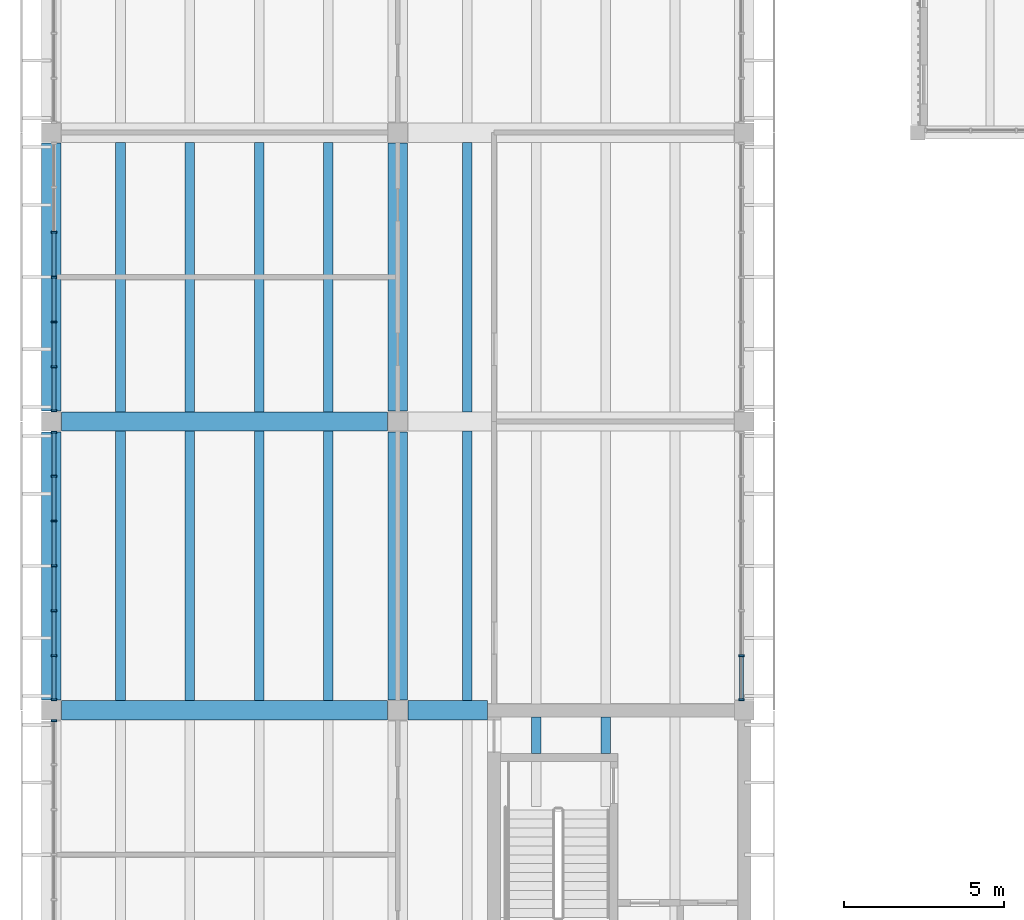
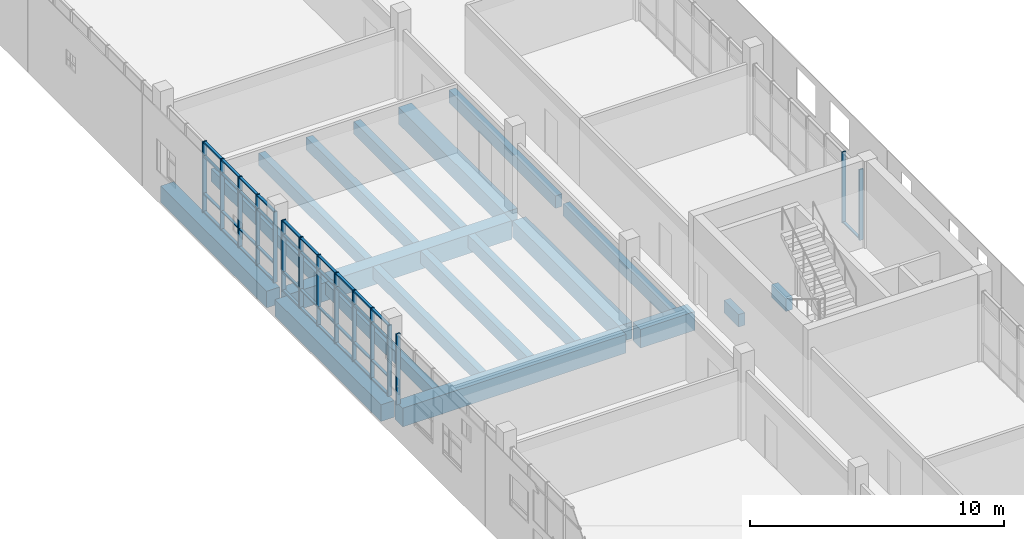
# One storey, part 20 of 88: 56 members, 19 beams, 4 elements without a shape of their own.
"""IFC4 building model written with IfcOpenShell, lengths in metres."""

import ifcopenshell
import ifcopenshell.guid

model = None  # the IFC model being written
_history = None  # IfcOwnerHistory: only IFC2X3 demands one
_inside = {}  # id of a spatial element -> (the spatial element, [elements in it])
_under = {}  # id of a project, library or spatial element -> (it, [spatial elements below it])
_declared = {}  # id of a project -> (the project, [libraries it declares])
_typed = {}  # id of a type object -> (the type object, [elements of that type])
_made_of = {}  # id of a material, layer set ... -> (it, [elements and type objects made of it])


def new_model(schema):
    """Start an empty IFC model of exactly this schema.

    Asked for "IFC4X3", IfcOpenShell would pick the latest addendum, in which some entities
    have other attributes; the version numbers below select the first issue.
    IFC2X3 requires an IfcOwnerHistory on every rooted entity: one is made here for all.
    """
    global model, _history
    if schema == "IFC4X3":
        model = ifcopenshell.file(schema_version=(4, 3, 0, 0))
    else:
        model = ifcopenshell.file(schema=schema)
    _inside.clear()
    _under.clear()
    _declared.clear()
    _typed.clear()
    _made_of.clear()
    _history = None
    if model.schema == "IFC2X3":
        org = make("IfcOrganization", Name="unknown")
        user = make(
            "IfcPersonAndOrganization",
            ThePerson=make("IfcPerson", FamilyName="unknown"),
            TheOrganization=org,
        )
        app = make(
            "IfcApplication",
            ApplicationDeveloper=org,
            Version="unknown",
            ApplicationFullName="unknown",
            ApplicationIdentifier="unknown",
        )
        _history = make(
            "IfcOwnerHistory",
            OwningUser=user,
            OwningApplication=app,
            ChangeAction="ADDED",
            CreationDate=0,
        )
    return model


def make(cls, **values):
    """One entity of the class cls with the attributes given. An attribute that is None is left unset."""
    return model.create_entity(
        cls, **{name: value for name, value in values.items() if value is not None}
    )


def rooted(cls, **values):
    """An entity with a GlobalId (a new one), such as an element, a storey or a relation."""
    return make(cls, GlobalId=ifcopenshell.guid.new(), OwnerHistory=_history, **values)


def si_unit(unit_type, name, prefix=None):
    """IfcSIUnit, for example si_unit("LENGTHUNIT", "METRE", prefix="MILLI")."""
    return make("IfcSIUnit", UnitType=unit_type, Prefix=prefix, Name=name)


def assignment(units):
    """IfcUnitAssignment: the units of a project."""
    return None if units is None else make("IfcUnitAssignment", Units=units)


def point(xyz):
    """IfcCartesianPoint."""
    return None if xyz is None else make("IfcCartesianPoint", Coordinates=xyz)


def direction(xyz):
    """IfcDirection."""
    return None if xyz is None else make("IfcDirection", DirectionRatios=xyz)


def frame(location, z_axis=None, x_axis=None):
    """IfcAxis2Placement3D, a coordinate frame: its origin and axes. An axis left out is left unset."""
    return make(
        "IfcAxis2Placement3D",
        Location=point(location),
        Axis=direction(z_axis),
        RefDirection=direction(x_axis),
    )


def frame_2d(location, x_axis=None):
    """IfcAxis2Placement2D, a coordinate frame in the plane: its origin and x axis."""
    return make(
        "IfcAxis2Placement2D", Location=point(location), RefDirection=direction(x_axis)
    )


def origin():
    """The frame at (0, 0, 0) with its axes left unset."""
    return frame((0.0, 0.0, 0.0))


def origin_2d():
    """The frame at (0, 0) in the plane with its x axis left unset."""
    return frame_2d((0.0, 0.0))


def place(relative_to, where):
    """IfcLocalPlacement: puts the frame where relative to a parent placement (None: the world)."""
    return make(
        "IfcLocalPlacement", PlacementRelTo=relative_to, RelativePlacement=where
    )


def context(
    kind, dimensions, precision=None, world=None, true_north=None, identifier=None
):
    """IfcGeometricRepresentationContext, for example the 3D "Model" context."""
    return make(
        "IfcGeometricRepresentationContext",
        ContextIdentifier=identifier,
        ContextType=kind,
        CoordinateSpaceDimension=dimensions,
        Precision=precision,
        WorldCoordinateSystem=world,
        TrueNorth=true_north,
    )


def subcontext(parent, identifier, kind, view, scale=None):
    """IfcGeometricRepresentationSubContext, for example "Body" below "Model"."""
    return make(
        "IfcGeometricRepresentationSubContext",
        ContextIdentifier=identifier,
        ContextType=kind,
        ParentContext=parent,
        TargetScale=scale,
        TargetView=view,
    )


def project(units=None, contexts=None):
    """IfcProject with its units and contexts."""
    return rooted(
        "IfcProject",
        Name="project",
        RepresentationContexts=contexts,
        UnitsInContext=assignment(units),
    )


def spatial(cls, under=None, at=None, **own):
    """A site, building, storey or space (cls), placed at a placement, below another one or the project."""
    s = rooted(cls, ObjectPlacement=at, **own)
    if under is not None:
        _under.setdefault(under.id(), (under, []))[1].append(s)
    return s


def profile(cls, at=None, kind="AREA", **sizes):
    """A parametric profile (cls). Its sizes go by their IFC names, for example OverallWidth=200.0."""
    return make(cls, ProfileType=kind, Position=at, **sizes)


def rectangle(**sizes):
    """IfcRectangleProfileDef."""
    return profile("IfcRectangleProfileDef", **sizes)


def extrude(swept, where, along, depth):
    """IfcExtrudedAreaSolid: the profile swept, set in the frame where, extruded along a direction by depth."""
    return make(
        "IfcExtrudedAreaSolid",
        SweptArea=swept,
        Position=where,
        ExtrudedDirection=direction(along),
        Depth=depth,
    )


def shape(context_of_items, identifier, shape_type, items):
    """IfcShapeRepresentation: the items that make up one representation, for example the "Body"."""
    return make(
        "IfcShapeRepresentation",
        ContextOfItems=context_of_items,
        RepresentationIdentifier=identifier,
        RepresentationType=shape_type,
        Items=items,
    )


def material(Name=None, Category=None):
    """IfcMaterial."""
    return make("IfcMaterial", Name=Name, Category=Category)


def material_profile(
    of_material, cross_section, Name=None, Category=None, Priority=None
):
    """IfcMaterialProfile: a cross section and its material."""
    return make(
        "IfcMaterialProfile",
        Name=Name,
        Material=of_material,
        Profile=cross_section,
        Priority=Priority,
        Category=Category,
    )


def profile_set(profiles, Name=None, composite=None):
    """IfcMaterialProfileSet."""
    return make(
        "IfcMaterialProfileSet",
        Name=Name,
        MaterialProfiles=profiles,
        CompositeProfile=composite,
    )


def made_of(thing, what):
    """Note that an element or type object is made of a material, layer set ...; save() writes the relation."""
    if what is not None:
        _made_of.setdefault(what.id(), (what, []))[1].append(thing)
    return thing


def type_object(cls, material=None, **own):
    """A type object (cls), such as IfcWallType, which elements share."""
    return made_of(rooted(cls, **own), material)


def element(
    cls,
    number,
    at=None,
    inside=None,
    cuts=None,
    type_object=None,
    material=None,
    context=None,
    identifier="Body",
    shape_type=None,
    held_by="IfcProductDefinitionShape",
    body=None,
    shapes=None,
    **own,
):
    """One element of the class cls, such as IfcWall. Its Tag is "e" and its number.

    at: its placement. inside: the storey or other place that contains it. cuts: it is an
    opening in that element (IfcRelVoidsElement). A single representation is given by context,
    identifier, shape_type and body (its items); several are given by shapes. held_by: the class
    of the entity that holds the representations. save() writes the other relations.
    """
    e = rooted(cls, Tag="e%d" % number, ObjectPlacement=at, **own)
    if body is not None:
        shapes = [shape(context, identifier, shape_type, body)]
    if shapes is not None:
        e.Representation = make(held_by, Representations=shapes)
    if inside is not None:
        _inside.setdefault(inside.id(), (inside, []))[1].append(e)
    if cuts is not None:
        rooted(
            "IfcRelVoidsElement", RelatingBuildingElement=cuts, RelatedOpeningElement=e
        )
    if type_object is not None:
        _typed.setdefault(type_object.id(), (type_object, []))[1].append(e)
    return made_of(e, material)


def aggregate(whole, parts):
    """IfcRelAggregates: a whole, such as a stair, and the parts it consists of."""
    return rooted("IfcRelAggregates", RelatingObject=whole, RelatedObjects=parts)


def save(model, path):
    """Write the relations noted so far, then the file.

    IfcRelAggregates (storeys below a building ...), IfcRelContainedInSpatialStructure (elements
    in a storey), IfcRelDefinesByType, IfcRelAssociatesMaterial and IfcRelDeclares: one each for
    every whole, place, type object, material and project.
    """
    for whole, parts in _under.values():
        aggregate(whole, parts)
    for where, things in _inside.values():
        rooted(
            "IfcRelContainedInSpatialStructure",
            RelatedElements=things,
            RelatingStructure=where,
        )
    for kind, things in _typed.values():
        rooted("IfcRelDefinesByType", RelatedObjects=things, RelatingType=kind)
    for what, things in _made_of.values():
        rooted("IfcRelAssociatesMaterial", RelatedObjects=things, RelatingMaterial=what)
    for by, libraries in _declared.values():
        rooted("IfcRelDeclares", RelatingContext=by, RelatedDefinitions=libraries)
    model.write(path)


model = new_model("IFC4")

# Units and contexts
model_context = context("Model", 3, precision=1e-05, world=origin(), true_north=direction((0.0, 1.0)))
body_context = subcontext(model_context, "Body", "Model", "MODEL_VIEW")
ifc_project = project(units=[si_unit("LENGTHUNIT", "METRE"), si_unit("AREAUNIT", "SQUARE_METRE"), si_unit("VOLUMEUNIT", "CUBIC_METRE"), si_unit("PLANEANGLEUNIT", "RADIAN"), si_unit("MASSUNIT", "GRAM", prefix="KILO")], contexts=[model_context])

# Site, building, storey
site_placement = place(None, origin())
site = spatial("IfcSite", under=ifc_project, at=site_placement, CompositionType="ELEMENT")
building_placement = place(site_placement, origin())
building = spatial("IfcBuilding", under=site, at=building_placement, Name="Merrow Basin Faculty of Sciences", CompositionType="ELEMENT")
storey_placement = place(building_placement, frame((0.0, 0.0, 9.0)))
storey = spatial("IfcBuildingStorey", under=building, at=storey_placement, Name="L02", CompositionType="ELEMENT", Elevation=9.0)

# Curtain wall, member
ifc_material_1 = material(Name="Aluminium alloy 6063", Category="aluminium")
curtain_wall_type = type_object("IfcCurtainWallType", Name="Bar unitised curtain wall 180", PredefinedType="NOTDEFINED", material=ifc_material_1)
curtain_wall_1_placement = place(storey_placement, origin())
curtain_wall_1 = element("IfcCurtainWall", 1, at=curtain_wall_1_placement, inside=storey, type_object=curtain_wall_type, Name="West curtain wall L02 3", PredefinedType="NOTDEFINED")
ifc_material_2 = material(Name="Aluminium alloy 6063", Category="aluminium")
ifc_material_profile_1 = material_profile(ifc_material_2, rectangle(XDim=0.179931640625, YDim=0.06005859375, at=origin_2d()))
ifc_profile_set_1 = profile_set([ifc_material_profile_1], Name="Aluminium alloy 6063")
member_type_1 = type_object("IfcMemberType", Name="Aluminium mullion 60x180", PredefinedType="MULLION", material=ifc_profile_set_1)
member_1_placement = place(storey_placement, frame((0.090087890625, 96.669921875, 0.0), z_axis=(0.0, 0.0, 1.0), x_axis=(-1.0, 0.0, 0.0)))
member_1 = element("IfcMember", 2, at=member_1_placement, type_object=member_type_1, Name="CW1 mullion 7", PredefinedType="MULLION", context=body_context, shape_type="SweptSolid", body=[
    extrude(rectangle(XDim=0.179931640625, YDim=0.06005859375, at=origin_2d()), origin(), (0.0, 0.0, 1.0), 3.39990234375),
])
aggregate(curtain_wall_1, [member_1])

# Curtain wall, members
curtain_wall_2_placement = place(storey_placement, origin())
curtain_wall_2 = element("IfcCurtainWall", 3, at=curtain_wall_2_placement, inside=storey, type_object=curtain_wall_type, Name="West curtain wall L02 4", PredefinedType="NOTDEFINED")
member_2_placement = place(storey_placement, frame((0.090087890625, 97.330078125, 0.0), z_axis=(0.0, 0.0, 1.0), x_axis=(-1.0, 0.0, 0.0)))
member_2 = element("IfcMember", 4, at=member_2_placement, type_object=member_type_1, Name="CW1 mullion 1", PredefinedType="MULLION", context=body_context, shape_type="SweptSolid", body=[
    extrude(rectangle(XDim=0.179931640625, YDim=0.06005859375, at=origin_2d()), origin(), (0.0, 0.0, 1.0), 3.39990234375),
])
member_3_placement = place(storey_placement, frame((0.090087890625, 98.699951171875, 0.0), z_axis=(0.0, 0.0, 1.0), x_axis=(-1.0, 0.0, 0.0)))
member_3 = element("IfcMember", 5, at=member_3_placement, type_object=member_type_1, Name="CW1 mullion 2", PredefinedType="MULLION", context=body_context, shape_type="SweptSolid", body=[
    extrude(rectangle(XDim=0.179931640625, YDim=0.06005859375, at=origin_2d()), origin(), (0.0, 0.0, 1.0), 3.39990234375),
])
member_4_placement = place(storey_placement, frame((0.090087890625, 100.10009765625, 0.0), z_axis=(0.0, 0.0, 1.0), x_axis=(-1.0, 0.0, 0.0)))
member_4 = element("IfcMember", 6, at=member_4_placement, type_object=member_type_1, Name="CW1 mullion 3", PredefinedType="MULLION", context=body_context, shape_type="SweptSolid", body=[
    extrude(rectangle(XDim=0.179931640625, YDim=0.06005859375, at=origin_2d()), origin(), (0.0, 0.0, 1.0), 3.39990234375),
])
member_5_placement = place(storey_placement, frame((0.090087890625, 101.5, 0.0), z_axis=(0.0, 0.0, 1.0), x_axis=(-1.0, 0.0, 0.0)))
member_5 = element("IfcMember", 7, at=member_5_placement, type_object=member_type_1, Name="CW1 mullion 4", PredefinedType="MULLION", context=body_context, shape_type="SweptSolid", body=[
    extrude(rectangle(XDim=0.179931640625, YDim=0.06005859375, at=origin_2d()), origin(), (0.0, 0.0, 1.0), 3.39990234375),
])
member_6_placement = place(storey_placement, frame((0.090087890625, 102.89990234375, 0.0), z_axis=(0.0, 0.0, 1.0), x_axis=(-1.0, 0.0, 0.0)))
member_6 = element("IfcMember", 8, at=member_6_placement, type_object=member_type_1, Name="CW1 mullion 5", PredefinedType="MULLION", context=body_context, shape_type="SweptSolid", body=[
    extrude(rectangle(XDim=0.179931640625, YDim=0.06005859375, at=origin_2d()), origin(), (0.0, 0.0, 1.0), 3.39990234375),
])
member_7_placement = place(storey_placement, frame((0.090087890625, 104.300048828125, 0.0), z_axis=(0.0, 0.0, 1.0), x_axis=(-1.0, 0.0, 0.0)))
member_7 = element("IfcMember", 9, at=member_7_placement, type_object=member_type_1, Name="CW1 mullion 6", PredefinedType="MULLION", context=body_context, shape_type="SweptSolid", body=[
    extrude(rectangle(XDim=0.179931640625, YDim=0.06005859375, at=origin_2d()), origin(), (0.0, 0.0, 1.0), 3.39990234375),
])
member_8_placement = place(storey_placement, frame((0.090087890625, 105.669921875, 0.0), z_axis=(0.0, 0.0, 1.0), x_axis=(-1.0, 0.0, 0.0)))
member_8 = element("IfcMember", 10, at=member_8_placement, type_object=member_type_1, Name="CW1 mullion 7", PredefinedType="MULLION", context=body_context, shape_type="SweptSolid", body=[
    extrude(rectangle(XDim=0.179931640625, YDim=0.06005859375, at=origin_2d()), origin(), (0.0, 0.0, 1.0), 3.39990234375),
])

curtain_wall_3_placement = place(storey_placement, origin())
curtain_wall_3 = element("IfcCurtainWall", 11, at=curtain_wall_3_placement, inside=storey, type_object=curtain_wall_type, Name="West curtain wall L02 5", PredefinedType="NOTDEFINED")
member_9_placement = place(storey_placement, frame((0.090087890625, 106.330078125, 0.0), z_axis=(0.0, 0.0, 1.0), x_axis=(-1.0, 0.0, 0.0)))
member_9 = element("IfcMember", 12, at=member_9_placement, type_object=member_type_1, Name="CW1 mullion 1", PredefinedType="MULLION", context=body_context, shape_type="SweptSolid", body=[
    extrude(rectangle(XDim=0.179931640625, YDim=0.06005859375, at=origin_2d()), origin(), (0.0, 0.0, 1.0), 3.39990234375),
])
member_10_placement = place(storey_placement, frame((0.090087890625, 107.699951171875, 0.0), z_axis=(0.0, 0.0, 1.0), x_axis=(-1.0, 0.0, 0.0)))
member_10 = element("IfcMember", 13, at=member_10_placement, type_object=member_type_1, Name="CW1 mullion 2", PredefinedType="MULLION", context=body_context, shape_type="SweptSolid", body=[
    extrude(rectangle(XDim=0.179931640625, YDim=0.06005859375, at=origin_2d()), origin(), (0.0, 0.0, 1.0), 3.39990234375),
])
member_11_placement = place(storey_placement, frame((0.090087890625, 109.10009765625, 0.0), z_axis=(0.0, 0.0, 1.0), x_axis=(-1.0, 0.0, 0.0)))
member_11 = element("IfcMember", 14, at=member_11_placement, type_object=member_type_1, Name="CW1 mullion 3", PredefinedType="MULLION", context=body_context, shape_type="SweptSolid", body=[
    extrude(rectangle(XDim=0.179931640625, YDim=0.06005859375, at=origin_2d()), origin(), (0.0, 0.0, 1.0), 3.39990234375),
])
member_12_placement = place(storey_placement, frame((0.090087890625, 110.5, 0.0), z_axis=(0.0, 0.0, 1.0), x_axis=(-1.0, 0.0, 0.0)))
member_12 = element("IfcMember", 15, at=member_12_placement, type_object=member_type_1, Name="CW1 mullion 4", PredefinedType="MULLION", context=body_context, shape_type="SweptSolid", body=[
    extrude(rectangle(XDim=0.179931640625, YDim=0.06005859375, at=origin_2d()), origin(), (0.0, 0.0, 1.0), 3.39990234375),
])
member_13_placement = place(storey_placement, frame((0.090087890625, 111.89990234375, 0.0), z_axis=(0.0, 0.0, 1.0), x_axis=(-1.0, 0.0, 0.0)))
member_13 = element("IfcMember", 16, at=member_13_placement, type_object=member_type_1, Name="CW1 mullion 5", PredefinedType="MULLION", context=body_context, shape_type="SweptSolid", body=[
    extrude(rectangle(XDim=0.179931640625, YDim=0.06005859375, at=origin_2d()), origin(), (0.0, 0.0, 1.0), 3.39990234375),
])

curtain_wall_4_placement = place(storey_placement, origin())
curtain_wall_4 = element("IfcCurtainWall", 17, at=curtain_wall_4_placement, inside=storey, type_object=curtain_wall_type, Name="East curtain wall L02 4", PredefinedType="NOTDEFINED")
member_14_placement = place(storey_placement, frame((21.510009765625, 97.330078125, 0.0), z_axis=(0.0, 0.0, 1.0), x_axis=(-1.0, 0.0, 0.0)))
member_14 = element("IfcMember", 18, at=member_14_placement, type_object=member_type_1, Name="CW1 mullion 1", PredefinedType="MULLION", context=body_context, shape_type="SweptSolid", body=[
    extrude(rectangle(XDim=0.179931640625, YDim=0.06005859375, at=origin_2d()), origin(), (0.0, 0.0, 1.0), 3.39990234375),
])
member_15_placement = place(storey_placement, frame((21.510009765625, 98.699951171875, 0.0), z_axis=(0.0, 0.0, 1.0), x_axis=(-1.0, 0.0, 0.0)))
member_15 = element("IfcMember", 19, at=member_15_placement, type_object=member_type_1, Name="CW1 mullion 2", PredefinedType="MULLION", context=body_context, shape_type="SweptSolid", body=[
    extrude(rectangle(XDim=0.179931640625, YDim=0.06005859375, at=origin_2d()), origin(), (0.0, 0.0, 1.0), 3.39990234375),
])

# Member
ifc_material_3 = material(Name="Aluminium alloy 6063", Category="aluminium")
ifc_material_profile_2 = material_profile(ifc_material_3, rectangle(XDim=0.1201171875, YDim=0.06005859375, at=origin_2d()))
ifc_profile_set_2 = profile_set([ifc_material_profile_2], Name="Aluminium alloy 6063")
member_type_2 = type_object("IfcMemberType", Name="Aluminium transom 60x120", PredefinedType="USERDEFINED", material=ifc_profile_set_2)
member_16_placement = place(storey_placement, frame((0.090087890625, 97.360107421875, 0.030029296875), z_axis=(0.0, 1.0, 0.0), x_axis=(-1.0, 0.0, 0.0)))
member_16 = element("IfcMember", 20, at=member_16_placement, type_object=member_type_2, Name="CW1 transom 1.1", ObjectType="TRANSOM", PredefinedType="USERDEFINED", context=body_context, shape_type="SweptSolid", body=[
    extrude(rectangle(XDim=0.1201171875, YDim=0.06005859375, at=origin_2d()), origin(), (0.0, 0.0, 1.0), 1.309814453125),
])

member_17_placement = place(storey_placement, frame((0.090087890625, 97.360107421875, 0.89990234375), z_axis=(0.0, 1.0, 0.0), x_axis=(-1.0, 0.0, 0.0)))
member_17 = element("IfcMember", 21, at=member_17_placement, type_object=member_type_2, Name="CW1 transom 1.2", ObjectType="TRANSOM", PredefinedType="USERDEFINED", context=body_context, shape_type="SweptSolid", body=[
    extrude(rectangle(XDim=0.1201171875, YDim=0.06005859375, at=origin_2d()), origin(), (0.0, 0.0, 1.0), 1.309814453125),
])

member_18_placement = place(storey_placement, frame((0.090087890625, 97.360107421875, 2.699951171875), z_axis=(0.0, 1.0, 0.0), x_axis=(-1.0, 0.0, 0.0)))
member_18 = element("IfcMember", 22, at=member_18_placement, type_object=member_type_2, Name="CW1 transom 1.3", ObjectType="TRANSOM", PredefinedType="USERDEFINED", context=body_context, shape_type="SweptSolid", body=[
    extrude(rectangle(XDim=0.1201171875, YDim=0.06005859375, at=origin_2d()), origin(), (0.0, 0.0, 1.0), 1.309814453125),
])

member_19_placement = place(storey_placement, frame((0.090087890625, 97.360107421875, 3.3701171875), z_axis=(0.0, 1.0, 0.0), x_axis=(-1.0, 0.0, 0.0)))
member_19 = element("IfcMember", 23, at=member_19_placement, type_object=member_type_2, Name="CW1 transom 1.4", ObjectType="TRANSOM", PredefinedType="USERDEFINED", context=body_context, shape_type="SweptSolid", body=[
    extrude(rectangle(XDim=0.1201171875, YDim=0.06005859375, at=origin_2d()), origin(), (0.0, 0.0, 1.0), 1.309814453125),
])

member_20_placement = place(storey_placement, frame((0.090087890625, 98.72998046875, 0.030029296875), z_axis=(0.0, 1.0, 0.0), x_axis=(-1.0, 0.0, 0.0)))
member_20 = element("IfcMember", 24, at=member_20_placement, type_object=member_type_2, Name="CW1 transom 2.1", ObjectType="TRANSOM", PredefinedType="USERDEFINED", context=body_context, shape_type="SweptSolid", body=[
    extrude(rectangle(XDim=0.1201171875, YDim=0.06005859375, at=origin_2d()), origin(), (0.0, 0.0, 1.0), 1.340087890625),
])

member_21_placement = place(storey_placement, frame((0.090087890625, 98.72998046875, 0.89990234375), z_axis=(0.0, 1.0, 0.0), x_axis=(-1.0, 0.0, 0.0)))
member_21 = element("IfcMember", 25, at=member_21_placement, type_object=member_type_2, Name="CW1 transom 2.2", ObjectType="TRANSOM", PredefinedType="USERDEFINED", context=body_context, shape_type="SweptSolid", body=[
    extrude(rectangle(XDim=0.1201171875, YDim=0.06005859375, at=origin_2d()), origin(), (0.0, 0.0, 1.0), 1.340087890625),
])

member_22_placement = place(storey_placement, frame((0.090087890625, 98.72998046875, 2.699951171875), z_axis=(0.0, 1.0, 0.0), x_axis=(-1.0, 0.0, 0.0)))
member_22 = element("IfcMember", 26, at=member_22_placement, type_object=member_type_2, Name="CW1 transom 2.3", ObjectType="TRANSOM", PredefinedType="USERDEFINED", context=body_context, shape_type="SweptSolid", body=[
    extrude(rectangle(XDim=0.1201171875, YDim=0.06005859375, at=origin_2d()), origin(), (0.0, 0.0, 1.0), 1.340087890625),
])

member_23_placement = place(storey_placement, frame((0.090087890625, 98.72998046875, 3.3701171875), z_axis=(0.0, 1.0, 0.0), x_axis=(-1.0, 0.0, 0.0)))
member_23 = element("IfcMember", 27, at=member_23_placement, type_object=member_type_2, Name="CW1 transom 2.4", ObjectType="TRANSOM", PredefinedType="USERDEFINED", context=body_context, shape_type="SweptSolid", body=[
    extrude(rectangle(XDim=0.1201171875, YDim=0.06005859375, at=origin_2d()), origin(), (0.0, 0.0, 1.0), 1.340087890625),
])

member_24_placement = place(storey_placement, frame((0.090087890625, 100.1298828125, 0.030029296875), z_axis=(0.0, 1.0, 0.0), x_axis=(-1.0, 0.0, 0.0)))
member_24 = element("IfcMember", 28, at=member_24_placement, type_object=member_type_2, Name="CW1 transom 3.1", ObjectType="TRANSOM", PredefinedType="USERDEFINED", context=body_context, shape_type="SweptSolid", body=[
    extrude(rectangle(XDim=0.1201171875, YDim=0.06005859375, at=origin_2d()), origin(), (0.0, 0.0, 1.0), 1.340087890625),
])

member_25_placement = place(storey_placement, frame((0.090087890625, 100.1298828125, 0.89990234375), z_axis=(0.0, 1.0, 0.0), x_axis=(-1.0, 0.0, 0.0)))
member_25 = element("IfcMember", 29, at=member_25_placement, type_object=member_type_2, Name="CW1 transom 3.2", ObjectType="TRANSOM", PredefinedType="USERDEFINED", context=body_context, shape_type="SweptSolid", body=[
    extrude(rectangle(XDim=0.1201171875, YDim=0.06005859375, at=origin_2d()), origin(), (0.0, 0.0, 1.0), 1.340087890625),
])

member_26_placement = place(storey_placement, frame((0.090087890625, 100.1298828125, 2.699951171875), z_axis=(0.0, 1.0, 0.0), x_axis=(-1.0, 0.0, 0.0)))
member_26 = element("IfcMember", 30, at=member_26_placement, type_object=member_type_2, Name="CW1 transom 3.3", ObjectType="TRANSOM", PredefinedType="USERDEFINED", context=body_context, shape_type="SweptSolid", body=[
    extrude(rectangle(XDim=0.1201171875, YDim=0.06005859375, at=origin_2d()), origin(), (0.0, 0.0, 1.0), 1.340087890625),
])

member_27_placement = place(storey_placement, frame((0.090087890625, 100.1298828125, 3.3701171875), z_axis=(0.0, 1.0, 0.0), x_axis=(-1.0, 0.0, 0.0)))
member_27 = element("IfcMember", 31, at=member_27_placement, type_object=member_type_2, Name="CW1 transom 3.4", ObjectType="TRANSOM", PredefinedType="USERDEFINED", context=body_context, shape_type="SweptSolid", body=[
    extrude(rectangle(XDim=0.1201171875, YDim=0.06005859375, at=origin_2d()), origin(), (0.0, 0.0, 1.0), 1.340087890625),
])

member_28_placement = place(storey_placement, frame((0.090087890625, 101.530029296875, 0.030029296875), z_axis=(0.0, 1.0, 0.0), x_axis=(-1.0, 0.0, 0.0)))
member_28 = element("IfcMember", 32, at=member_28_placement, type_object=member_type_2, Name="CW1 transom 4.1", ObjectType="TRANSOM", PredefinedType="USERDEFINED", context=body_context, shape_type="SweptSolid", body=[
    extrude(rectangle(XDim=0.1201171875, YDim=0.06005859375, at=origin_2d()), origin(), (0.0, 0.0, 1.0), 1.340087890625),
])

member_29_placement = place(storey_placement, frame((0.090087890625, 101.530029296875, 0.89990234375), z_axis=(0.0, 1.0, 0.0), x_axis=(-1.0, 0.0, 0.0)))
member_29 = element("IfcMember", 33, at=member_29_placement, type_object=member_type_2, Name="CW1 transom 4.2", ObjectType="TRANSOM", PredefinedType="USERDEFINED", context=body_context, shape_type="SweptSolid", body=[
    extrude(rectangle(XDim=0.1201171875, YDim=0.06005859375, at=origin_2d()), origin(), (0.0, 0.0, 1.0), 1.340087890625),
])

member_30_placement = place(storey_placement, frame((0.090087890625, 101.530029296875, 2.699951171875), z_axis=(0.0, 1.0, 0.0), x_axis=(-1.0, 0.0, 0.0)))
member_30 = element("IfcMember", 34, at=member_30_placement, type_object=member_type_2, Name="CW1 transom 4.3", ObjectType="TRANSOM", PredefinedType="USERDEFINED", context=body_context, shape_type="SweptSolid", body=[
    extrude(rectangle(XDim=0.1201171875, YDim=0.06005859375, at=origin_2d()), origin(), (0.0, 0.0, 1.0), 1.340087890625),
])

member_31_placement = place(storey_placement, frame((0.090087890625, 101.530029296875, 3.3701171875), z_axis=(0.0, 1.0, 0.0), x_axis=(-1.0, 0.0, 0.0)))
member_31 = element("IfcMember", 35, at=member_31_placement, type_object=member_type_2, Name="CW1 transom 4.4", ObjectType="TRANSOM", PredefinedType="USERDEFINED", context=body_context, shape_type="SweptSolid", body=[
    extrude(rectangle(XDim=0.1201171875, YDim=0.06005859375, at=origin_2d()), origin(), (0.0, 0.0, 1.0), 1.340087890625),
])

member_32_placement = place(storey_placement, frame((0.090087890625, 102.929931640625, 0.030029296875), z_axis=(0.0, 1.0, 0.0), x_axis=(-1.0, 0.0, 0.0)))
member_32 = element("IfcMember", 36, at=member_32_placement, type_object=member_type_2, Name="CW1 transom 5.1", ObjectType="TRANSOM", PredefinedType="USERDEFINED", context=body_context, shape_type="SweptSolid", body=[
    extrude(rectangle(XDim=0.1201171875, YDim=0.06005859375, at=origin_2d()), origin(), (0.0, 0.0, 1.0), 1.340087890625),
])

member_33_placement = place(storey_placement, frame((0.090087890625, 102.929931640625, 0.89990234375), z_axis=(0.0, 1.0, 0.0), x_axis=(-1.0, 0.0, 0.0)))
member_33 = element("IfcMember", 37, at=member_33_placement, type_object=member_type_2, Name="CW1 transom 5.2", ObjectType="TRANSOM", PredefinedType="USERDEFINED", context=body_context, shape_type="SweptSolid", body=[
    extrude(rectangle(XDim=0.1201171875, YDim=0.06005859375, at=origin_2d()), origin(), (0.0, 0.0, 1.0), 1.340087890625),
])

member_34_placement = place(storey_placement, frame((0.090087890625, 102.929931640625, 2.699951171875), z_axis=(0.0, 1.0, 0.0), x_axis=(-1.0, 0.0, 0.0)))
member_34 = element("IfcMember", 38, at=member_34_placement, type_object=member_type_2, Name="CW1 transom 5.3", ObjectType="TRANSOM", PredefinedType="USERDEFINED", context=body_context, shape_type="SweptSolid", body=[
    extrude(rectangle(XDim=0.1201171875, YDim=0.06005859375, at=origin_2d()), origin(), (0.0, 0.0, 1.0), 1.340087890625),
])

member_35_placement = place(storey_placement, frame((0.090087890625, 102.929931640625, 3.3701171875), z_axis=(0.0, 1.0, 0.0), x_axis=(-1.0, 0.0, 0.0)))
member_35 = element("IfcMember", 39, at=member_35_placement, type_object=member_type_2, Name="CW1 transom 5.4", ObjectType="TRANSOM", PredefinedType="USERDEFINED", context=body_context, shape_type="SweptSolid", body=[
    extrude(rectangle(XDim=0.1201171875, YDim=0.06005859375, at=origin_2d()), origin(), (0.0, 0.0, 1.0), 1.340087890625),
])

member_36_placement = place(storey_placement, frame((0.090087890625, 104.330078125, 0.030029296875), z_axis=(0.0, 1.0, 0.0), x_axis=(-1.0, 0.0, 0.0)))
member_36 = element("IfcMember", 40, at=member_36_placement, type_object=member_type_2, Name="CW1 transom 6.1", ObjectType="TRANSOM", PredefinedType="USERDEFINED", context=body_context, shape_type="SweptSolid", body=[
    extrude(rectangle(XDim=0.1201171875, YDim=0.06005859375, at=origin_2d()), origin(), (0.0, 0.0, 1.0), 1.309814453125),
])

member_37_placement = place(storey_placement, frame((0.090087890625, 104.330078125, 0.89990234375), z_axis=(0.0, 1.0, 0.0), x_axis=(-1.0, 0.0, 0.0)))
member_37 = element("IfcMember", 41, at=member_37_placement, type_object=member_type_2, Name="CW1 transom 6.2", ObjectType="TRANSOM", PredefinedType="USERDEFINED", context=body_context, shape_type="SweptSolid", body=[
    extrude(rectangle(XDim=0.1201171875, YDim=0.06005859375, at=origin_2d()), origin(), (0.0, 0.0, 1.0), 1.309814453125),
])

member_38_placement = place(storey_placement, frame((0.090087890625, 104.330078125, 2.699951171875), z_axis=(0.0, 1.0, 0.0), x_axis=(-1.0, 0.0, 0.0)))
member_38 = element("IfcMember", 42, at=member_38_placement, type_object=member_type_2, Name="CW1 transom 6.3", ObjectType="TRANSOM", PredefinedType="USERDEFINED", context=body_context, shape_type="SweptSolid", body=[
    extrude(rectangle(XDim=0.1201171875, YDim=0.06005859375, at=origin_2d()), origin(), (0.0, 0.0, 1.0), 1.309814453125),
])

member_39_placement = place(storey_placement, frame((0.090087890625, 104.330078125, 3.3701171875), z_axis=(0.0, 1.0, 0.0), x_axis=(-1.0, 0.0, 0.0)))
member_39 = element("IfcMember", 43, at=member_39_placement, type_object=member_type_2, Name="CW1 transom 6.4", ObjectType="TRANSOM", PredefinedType="USERDEFINED", context=body_context, shape_type="SweptSolid", body=[
    extrude(rectangle(XDim=0.1201171875, YDim=0.06005859375, at=origin_2d()), origin(), (0.0, 0.0, 1.0), 1.309814453125),
])

aggregate(curtain_wall_2, [member_2, member_3, member_4, member_5, member_6, member_7, member_8, member_16, member_17, member_18, member_19, member_20, member_21, member_22, member_23, member_24, member_25, member_26, member_27, member_28, member_29, member_30, member_31, member_32, member_33, member_34, member_35, member_36, member_37, member_38, member_39])

member_40_placement = place(storey_placement, frame((0.090087890625, 106.360107421875, 0.030029296875), z_axis=(0.0, 1.0, 0.0), x_axis=(-1.0, 0.0, 0.0)))
member_40 = element("IfcMember", 44, at=member_40_placement, type_object=member_type_2, Name="CW1 transom 1.1", ObjectType="TRANSOM", PredefinedType="USERDEFINED", context=body_context, shape_type="SweptSolid", body=[
    extrude(rectangle(XDim=0.1201171875, YDim=0.06005859375, at=origin_2d()), origin(), (0.0, 0.0, 1.0), 1.309814453125),
])

member_41_placement = place(storey_placement, frame((0.090087890625, 106.360107421875, 0.89990234375), z_axis=(0.0, 1.0, 0.0), x_axis=(-1.0, 0.0, 0.0)))
member_41 = element("IfcMember", 45, at=member_41_placement, type_object=member_type_2, Name="CW1 transom 1.2", ObjectType="TRANSOM", PredefinedType="USERDEFINED", context=body_context, shape_type="SweptSolid", body=[
    extrude(rectangle(XDim=0.1201171875, YDim=0.06005859375, at=origin_2d()), origin(), (0.0, 0.0, 1.0), 1.309814453125),
])

member_42_placement = place(storey_placement, frame((0.090087890625, 106.360107421875, 2.699951171875), z_axis=(0.0, 1.0, 0.0), x_axis=(-1.0, 0.0, 0.0)))
member_42 = element("IfcMember", 46, at=member_42_placement, type_object=member_type_2, Name="CW1 transom 1.3", ObjectType="TRANSOM", PredefinedType="USERDEFINED", context=body_context, shape_type="SweptSolid", body=[
    extrude(rectangle(XDim=0.1201171875, YDim=0.06005859375, at=origin_2d()), origin(), (0.0, 0.0, 1.0), 1.309814453125),
])

member_43_placement = place(storey_placement, frame((0.090087890625, 106.360107421875, 3.3701171875), z_axis=(0.0, 1.0, 0.0), x_axis=(-1.0, 0.0, 0.0)))
member_43 = element("IfcMember", 47, at=member_43_placement, type_object=member_type_2, Name="CW1 transom 1.4", ObjectType="TRANSOM", PredefinedType="USERDEFINED", context=body_context, shape_type="SweptSolid", body=[
    extrude(rectangle(XDim=0.1201171875, YDim=0.06005859375, at=origin_2d()), origin(), (0.0, 0.0, 1.0), 1.309814453125),
])

member_44_placement = place(storey_placement, frame((0.090087890625, 107.72998046875, 0.030029296875), z_axis=(0.0, 1.0, 0.0), x_axis=(-1.0, 0.0, 0.0)))
member_44 = element("IfcMember", 48, at=member_44_placement, type_object=member_type_2, Name="CW1 transom 2.1", ObjectType="TRANSOM", PredefinedType="USERDEFINED", context=body_context, shape_type="SweptSolid", body=[
    extrude(rectangle(XDim=0.1201171875, YDim=0.06005859375, at=origin_2d()), origin(), (0.0, 0.0, 1.0), 1.340087890625),
])

member_45_placement = place(storey_placement, frame((0.090087890625, 107.72998046875, 0.89990234375), z_axis=(0.0, 1.0, 0.0), x_axis=(-1.0, 0.0, 0.0)))
member_45 = element("IfcMember", 49, at=member_45_placement, type_object=member_type_2, Name="CW1 transom 2.2", ObjectType="TRANSOM", PredefinedType="USERDEFINED", context=body_context, shape_type="SweptSolid", body=[
    extrude(rectangle(XDim=0.1201171875, YDim=0.06005859375, at=origin_2d()), origin(), (0.0, 0.0, 1.0), 1.340087890625),
])

member_46_placement = place(storey_placement, frame((0.090087890625, 107.72998046875, 2.699951171875), z_axis=(0.0, 1.0, 0.0), x_axis=(-1.0, 0.0, 0.0)))
member_46 = element("IfcMember", 50, at=member_46_placement, type_object=member_type_2, Name="CW1 transom 2.3", ObjectType="TRANSOM", PredefinedType="USERDEFINED", context=body_context, shape_type="SweptSolid", body=[
    extrude(rectangle(XDim=0.1201171875, YDim=0.06005859375, at=origin_2d()), origin(), (0.0, 0.0, 1.0), 1.340087890625),
])

member_47_placement = place(storey_placement, frame((0.090087890625, 107.72998046875, 3.3701171875), z_axis=(0.0, 1.0, 0.0), x_axis=(-1.0, 0.0, 0.0)))
member_47 = element("IfcMember", 51, at=member_47_placement, type_object=member_type_2, Name="CW1 transom 2.4", ObjectType="TRANSOM", PredefinedType="USERDEFINED", context=body_context, shape_type="SweptSolid", body=[
    extrude(rectangle(XDim=0.1201171875, YDim=0.06005859375, at=origin_2d()), origin(), (0.0, 0.0, 1.0), 1.340087890625),
])

member_48_placement = place(storey_placement, frame((0.090087890625, 109.1298828125, 0.030029296875), z_axis=(0.0, 1.0, 0.0), x_axis=(-1.0, 0.0, 0.0)))
member_48 = element("IfcMember", 52, at=member_48_placement, type_object=member_type_2, Name="CW1 transom 3.1", ObjectType="TRANSOM", PredefinedType="USERDEFINED", context=body_context, shape_type="SweptSolid", body=[
    extrude(rectangle(XDim=0.1201171875, YDim=0.06005859375, at=origin_2d()), origin(), (0.0, 0.0, 1.0), 1.340087890625),
])

member_49_placement = place(storey_placement, frame((0.090087890625, 109.1298828125, 0.89990234375), z_axis=(0.0, 1.0, 0.0), x_axis=(-1.0, 0.0, 0.0)))
member_49 = element("IfcMember", 53, at=member_49_placement, type_object=member_type_2, Name="CW1 transom 3.2", ObjectType="TRANSOM", PredefinedType="USERDEFINED", context=body_context, shape_type="SweptSolid", body=[
    extrude(rectangle(XDim=0.1201171875, YDim=0.06005859375, at=origin_2d()), origin(), (0.0, 0.0, 1.0), 1.340087890625),
])

member_50_placement = place(storey_placement, frame((0.090087890625, 109.1298828125, 2.699951171875), z_axis=(0.0, 1.0, 0.0), x_axis=(-1.0, 0.0, 0.0)))
member_50 = element("IfcMember", 54, at=member_50_placement, type_object=member_type_2, Name="CW1 transom 3.3", ObjectType="TRANSOM", PredefinedType="USERDEFINED", context=body_context, shape_type="SweptSolid", body=[
    extrude(rectangle(XDim=0.1201171875, YDim=0.06005859375, at=origin_2d()), origin(), (0.0, 0.0, 1.0), 1.340087890625),
])

member_51_placement = place(storey_placement, frame((0.090087890625, 109.1298828125, 3.3701171875), z_axis=(0.0, 1.0, 0.0), x_axis=(-1.0, 0.0, 0.0)))
member_51 = element("IfcMember", 55, at=member_51_placement, type_object=member_type_2, Name="CW1 transom 3.4", ObjectType="TRANSOM", PredefinedType="USERDEFINED", context=body_context, shape_type="SweptSolid", body=[
    extrude(rectangle(XDim=0.1201171875, YDim=0.06005859375, at=origin_2d()), origin(), (0.0, 0.0, 1.0), 1.340087890625),
])

member_52_placement = place(storey_placement, frame((0.090087890625, 110.530029296875, 0.030029296875), z_axis=(0.0, 1.0, 0.0), x_axis=(-1.0, 0.0, 0.0)))
member_52 = element("IfcMember", 56, at=member_52_placement, type_object=member_type_2, Name="CW1 transom 4.1", ObjectType="TRANSOM", PredefinedType="USERDEFINED", context=body_context, shape_type="SweptSolid", body=[
    extrude(rectangle(XDim=0.1201171875, YDim=0.06005859375, at=origin_2d()), origin(), (0.0, 0.0, 1.0), 1.340087890625),
])

member_53_placement = place(storey_placement, frame((0.090087890625, 110.530029296875, 0.89990234375), z_axis=(0.0, 1.0, 0.0), x_axis=(-1.0, 0.0, 0.0)))
member_53 = element("IfcMember", 57, at=member_53_placement, type_object=member_type_2, Name="CW1 transom 4.2", ObjectType="TRANSOM", PredefinedType="USERDEFINED", context=body_context, shape_type="SweptSolid", body=[
    extrude(rectangle(XDim=0.1201171875, YDim=0.06005859375, at=origin_2d()), origin(), (0.0, 0.0, 1.0), 1.340087890625),
])

member_54_placement = place(storey_placement, frame((0.090087890625, 110.530029296875, 2.699951171875), z_axis=(0.0, 1.0, 0.0), x_axis=(-1.0, 0.0, 0.0)))
member_54 = element("IfcMember", 58, at=member_54_placement, type_object=member_type_2, Name="CW1 transom 4.3", ObjectType="TRANSOM", PredefinedType="USERDEFINED", context=body_context, shape_type="SweptSolid", body=[
    extrude(rectangle(XDim=0.1201171875, YDim=0.06005859375, at=origin_2d()), origin(), (0.0, 0.0, 1.0), 1.340087890625),
])

member_55_placement = place(storey_placement, frame((0.090087890625, 110.530029296875, 3.3701171875), z_axis=(0.0, 1.0, 0.0), x_axis=(-1.0, 0.0, 0.0)))
member_55 = element("IfcMember", 59, at=member_55_placement, type_object=member_type_2, Name="CW1 transom 4.4", ObjectType="TRANSOM", PredefinedType="USERDEFINED", context=body_context, shape_type="SweptSolid", body=[
    extrude(rectangle(XDim=0.1201171875, YDim=0.06005859375, at=origin_2d()), origin(), (0.0, 0.0, 1.0), 1.340087890625),
])

aggregate(curtain_wall_3, [member_9, member_10, member_11, member_12, member_13, member_40, member_41, member_42, member_43, member_44, member_45, member_46, member_47, member_48, member_49, member_50, member_51, member_52, member_53, member_54, member_55])

member_56_placement = place(storey_placement, frame((21.510009765625, 97.360107421875, 0.030029296875), z_axis=(0.0, 1.0, 0.0), x_axis=(-1.0, 0.0, 0.0)))
member_56 = element("IfcMember", 60, at=member_56_placement, type_object=member_type_2, Name="CW1 transom 1.1", ObjectType="TRANSOM", PredefinedType="USERDEFINED", context=body_context, shape_type="SweptSolid", body=[
    extrude(rectangle(XDim=0.1201171875, YDim=0.06005859375, at=origin_2d()), origin(), (0.0, 0.0, 1.0), 1.309814453125),
])

aggregate(curtain_wall_4, [member_14, member_15, member_56])

# Beams
ifc_material_4 = material(Name="Concrete C40/50", Category="concrete")
ifc_material_profile_3 = material_profile(ifc_material_4, rectangle(XDim=0.60009765625, YDim=0.800048828125, at=origin_2d()))
ifc_profile_set_3 = profile_set([ifc_material_profile_3], Name="Concrete C40/50")
beam_type_1 = type_object("IfcBeamType", Name="Beam RC600x800 C40/50", PredefinedType="BEAM", material=ifc_profile_set_3)
for number, where, z_axis, x_axis, name in (
    (61, (0.0, 97.324951171875, -0.699951171875), (0.0, 1.0, 0.0), (-1.0, 0.0, 0.0), "B2 L02 018"),
    (62, (0.0, 106.324951171875, -0.699951171875), (0.0, 1.0, 0.0), (-1.0, 0.0, 0.0), "B2 L02 019"),
    (63, (10.800048828125, 97.324951171875, -0.699951171875), (0.0, 1.0, 0.0), (-1.0, 0.0, 0.0), "B2 L02 025"),
    (64, (10.800048828125, 106.324951171875, -0.699951171875), (0.0, 1.0, 0.0), (-1.0, 0.0, 0.0), "B2 L02 026"),
):
    element("IfcBeam", number, at=place(storey_placement, frame(where, z_axis=z_axis, x_axis=x_axis)), inside=storey, type_object=beam_type_1, Name=name, PredefinedType="BEAM", context=body_context, shape_type="SweptSolid", body=[
        extrude(rectangle(XDim=0.60009765625, YDim=0.800048828125, at=origin_2d()), origin(), (0.0, 0.0, 1.0), 8.35009765625),
    ])
ifc_material_5 = material(Name="Concrete C40/50", Category="concrete")
ifc_material_profile_4 = material_profile(ifc_material_5, rectangle(XDim=0.60009765625, YDim=0.89990234375, at=origin_2d()))
ifc_profile_set_4 = profile_set([ifc_material_profile_4], Name="Concrete C40/50")
beam_type_2 = type_object("IfcBeamType", Name="Beam RC600x900 C40/50", PredefinedType="BEAM", material=ifc_profile_set_4)
beam_1_placement = place(storey_placement, frame((0.324951171875, 97.0, -0.75), z_axis=(1.0, 0.0, 0.0), x_axis=(0.0, 1.0, 0.0)))
element("IfcBeam", 65, at=beam_1_placement, inside=storey, type_object=beam_type_2, Name="B1 L02 007", PredefinedType="BEAM", context=body_context, shape_type="SweptSolid", body=[
    extrude(rectangle(XDim=0.60009765625, YDim=0.89990234375, at=origin_2d()), origin(), (0.0, 0.0, 1.0), 10.150146484375),
])
beam_2_placement = place(storey_placement, frame((11.125, 97.0, -0.75), z_axis=(1.0, 0.0, 0.0), x_axis=(0.0, 1.0, 0.0)))
element("IfcBeam", 66, at=beam_2_placement, inside=storey, type_object=beam_type_2, Name="B1 L02 008", PredefinedType="BEAM", context=body_context, shape_type="SweptSolid", body=[
    extrude(rectangle(XDim=0.60009765625, YDim=0.89990234375, at=origin_2d()), origin(), (0.0, 0.0, 1.0), 2.47509765625),
])
beam_3_placement = place(storey_placement, frame((0.324951171875, 106.0, -0.75), z_axis=(1.0, 0.0, 0.0), x_axis=(0.0, 1.0, 0.0)))
element("IfcBeam", 67, at=beam_3_placement, inside=storey, type_object=beam_type_2, Name="B1 L02 009", PredefinedType="BEAM", context=body_context, shape_type="SweptSolid", body=[
    extrude(rectangle(XDim=0.60009765625, YDim=0.89990234375, at=origin_2d()), origin(), (0.0, 0.0, 1.0), 10.150146484375),
])
ifc_material_6 = material(Name="Concrete C40/50", Category="concrete")
ifc_material_profile_5 = material_profile(ifc_material_6, rectangle(XDim=0.300048828125, YDim=0.60009765625, at=origin_2d()))
ifc_profile_set_5 = profile_set([ifc_material_profile_5], Name="Concrete C40/50")
beam_type_3 = type_object("IfcBeamType", Name="Laboratory floor joist RC300x600 C40/50", PredefinedType="BEAM", material=ifc_profile_set_5)
for number, where, z_axis, x_axis, name in (
    (68, (2.159912109375, 97.300048828125, -0.60009765625), (0.0, 1.0, 0.0), (-1.0, 0.0, 0.0), "JL1 L02 051"),
    (69, (4.320068359375, 97.300048828125, -0.60009765625), (0.0, 1.0, 0.0), (-1.0, 0.0, 0.0), "JL1 L02 052"),
    (70, (6.47998046875, 97.300048828125, -0.60009765625), (0.0, 1.0, 0.0), (-1.0, 0.0, 0.0), "JL1 L02 053"),
    (71, (8.639892578125, 97.300048828125, -0.60009765625), (0.0, 1.0, 0.0), (-1.0, 0.0, 0.0), "JL1 L02 054"),
    (72, (2.159912109375, 106.300048828125, -0.60009765625), (0.0, 1.0, 0.0), (-1.0, 0.0, 0.0), "JL1 L02 055"),
    (73, (4.320068359375, 106.300048828125, -0.60009765625), (0.0, 1.0, 0.0), (-1.0, 0.0, 0.0), "JL1 L02 056"),
    (74, (6.47998046875, 106.300048828125, -0.60009765625), (0.0, 1.0, 0.0), (-1.0, 0.0, 0.0), "JL1 L02 057"),
    (75, (8.639892578125, 106.300048828125, -0.60009765625), (0.0, 1.0, 0.0), (-1.0, 0.0, 0.0), "JL1 L02 058"),
):
    element("IfcBeam", number, at=place(storey_placement, frame(where, z_axis=z_axis, x_axis=x_axis)), inside=storey, type_object=beam_type_3, Name=name, PredefinedType="BEAM", context=body_context, shape_type="SweptSolid", body=[
        extrude(rectangle(XDim=0.300048828125, YDim=0.60009765625, at=origin_2d()), origin(), (0.0, 0.0, 1.0), 8.39990234375),
    ])
for number, where, z_axis, x_axis, name in (
    (76, (15.1201171875, 95.64990234375, -0.60009765625), (0.0, 1.0, 0.0), (-1.0, 0.0, 0.0), "JL1 L02 081"),
    (77, (17.280029296875, 95.64990234375, -0.60009765625), (0.0, 1.0, 0.0), (-1.0, 0.0, 0.0), "JL1 L02 083"),
):
    element("IfcBeam", number, at=place(storey_placement, frame(where, z_axis=z_axis, x_axis=x_axis)), inside=storey, type_object=beam_type_3, Name=name, PredefinedType="BEAM", context=body_context, shape_type="SweptSolid", body=[
        extrude(rectangle(XDim=0.300048828125, YDim=0.60009765625, at=origin_2d()), origin(), (0.0, 0.0, 1.0), 1.150146484375),
    ])
for number, where, z_axis, x_axis, name in (
    (78, (12.9599609375, 97.300048828125, -0.60009765625), (0.0, 1.0, 0.0), (-1.0, 0.0, 0.0), "JL1 L02 085"),
    (79, (12.9599609375, 106.300048828125, -0.60009765625), (0.0, 1.0, 0.0), (-1.0, 0.0, 0.0), "JL1 L02 089"),
):
    element("IfcBeam", number, at=place(storey_placement, frame(where, z_axis=z_axis, x_axis=x_axis)), inside=storey, type_object=beam_type_3, Name=name, PredefinedType="BEAM", context=body_context, shape_type="SweptSolid", body=[
        extrude(rectangle(XDim=0.300048828125, YDim=0.60009765625, at=origin_2d()), origin(), (0.0, 0.0, 1.0), 8.39990234375),
    ])

save(model, "model.ifc")
